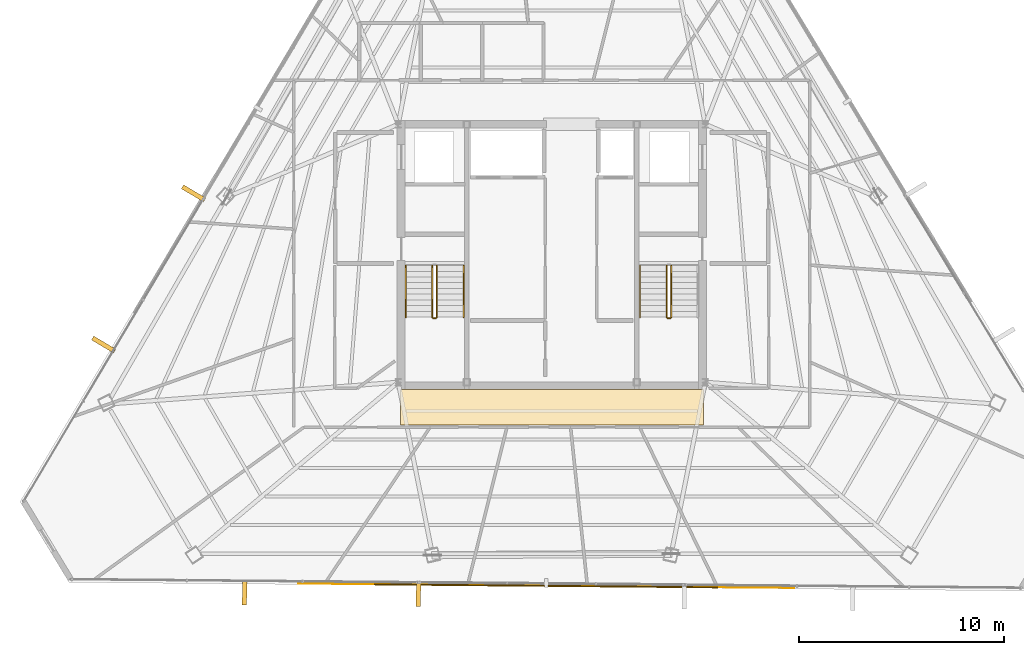
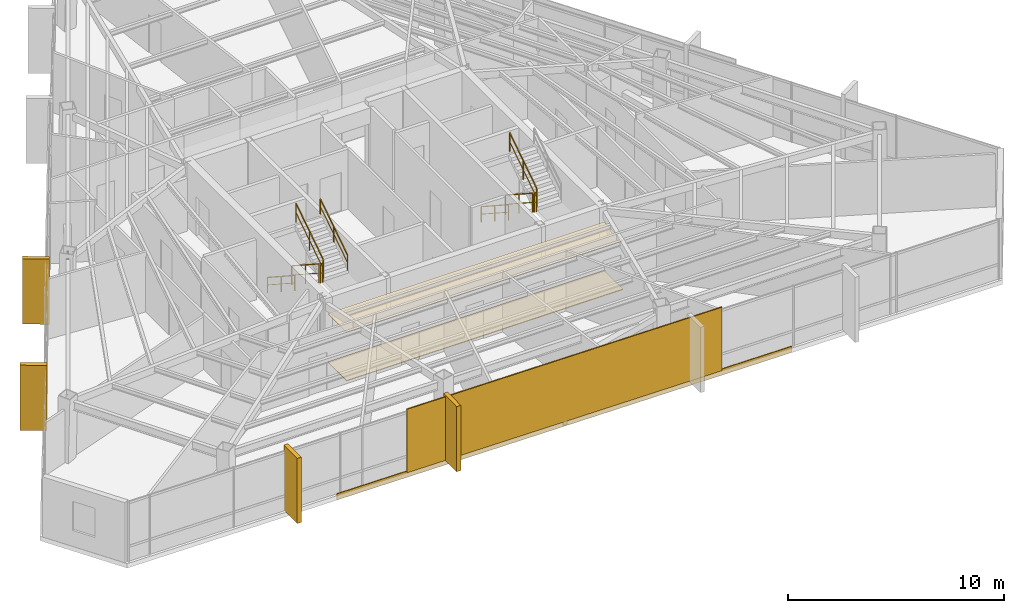
# One storey, part 44 of 46: 9 railings, 7 coverings, 1 shading device.
"""IFC4 building model written with IfcOpenShell, lengths in metres."""

import ifcopenshell
import ifcopenshell.guid

model = None  # the IFC model being written
_history = None  # IfcOwnerHistory: only IFC2X3 demands one
_inside = {}  # id of a spatial element -> (the spatial element, [elements in it])
_under = {}  # id of a project, library or spatial element -> (it, [spatial elements below it])
_declared = {}  # id of a project -> (the project, [libraries it declares])
_typed = {}  # id of a type object -> (the type object, [elements of that type])
_made_of = {}  # id of a material, layer set ... -> (it, [elements and type objects made of it])


def new_model(schema):
    """Start an empty IFC model of exactly this schema.

    Asked for "IFC4X3", IfcOpenShell would pick the latest addendum, in which some entities
    have other attributes; the version numbers below select the first issue.
    IFC2X3 requires an IfcOwnerHistory on every rooted entity: one is made here for all.
    """
    global model, _history
    if schema == "IFC4X3":
        model = ifcopenshell.file(schema_version=(4, 3, 0, 0))
    else:
        model = ifcopenshell.file(schema=schema)
    _inside.clear()
    _under.clear()
    _declared.clear()
    _typed.clear()
    _made_of.clear()
    _history = None
    if model.schema == "IFC2X3":
        org = make("IfcOrganization", Name="unknown")
        user = make(
            "IfcPersonAndOrganization",
            ThePerson=make("IfcPerson", FamilyName="unknown"),
            TheOrganization=org,
        )
        app = make(
            "IfcApplication",
            ApplicationDeveloper=org,
            Version="unknown",
            ApplicationFullName="unknown",
            ApplicationIdentifier="unknown",
        )
        _history = make(
            "IfcOwnerHistory",
            OwningUser=user,
            OwningApplication=app,
            ChangeAction="ADDED",
            CreationDate=0,
        )
    return model


def make(cls, **values):
    """One entity of the class cls with the attributes given. An attribute that is None is left unset."""
    return model.create_entity(
        cls, **{name: value for name, value in values.items() if value is not None}
    )


def rooted(cls, **values):
    """An entity with a GlobalId (a new one), such as an element, a storey or a relation."""
    return make(cls, GlobalId=ifcopenshell.guid.new(), OwnerHistory=_history, **values)


def si_unit(unit_type, name, prefix=None):
    """IfcSIUnit, for example si_unit("LENGTHUNIT", "METRE", prefix="MILLI")."""
    return make("IfcSIUnit", UnitType=unit_type, Prefix=prefix, Name=name)


def assignment(units):
    """IfcUnitAssignment: the units of a project."""
    return None if units is None else make("IfcUnitAssignment", Units=units)


def point(xyz):
    """IfcCartesianPoint."""
    return None if xyz is None else make("IfcCartesianPoint", Coordinates=xyz)


def direction(xyz):
    """IfcDirection."""
    return None if xyz is None else make("IfcDirection", DirectionRatios=xyz)


def frame(location, z_axis=None, x_axis=None):
    """IfcAxis2Placement3D, a coordinate frame: its origin and axes. An axis left out is left unset."""
    return make(
        "IfcAxis2Placement3D",
        Location=point(location),
        Axis=direction(z_axis),
        RefDirection=direction(x_axis),
    )


def frame_2d(location, x_axis=None):
    """IfcAxis2Placement2D, a coordinate frame in the plane: its origin and x axis."""
    return make(
        "IfcAxis2Placement2D", Location=point(location), RefDirection=direction(x_axis)
    )


def origin():
    """The frame at (0, 0, 0) with its axes left unset."""
    return frame((0.0, 0.0, 0.0))


def origin_2d():
    """The frame at (0, 0) in the plane with its x axis left unset."""
    return frame_2d((0.0, 0.0))


def place(relative_to, where):
    """IfcLocalPlacement: puts the frame where relative to a parent placement (None: the world)."""
    return make(
        "IfcLocalPlacement", PlacementRelTo=relative_to, RelativePlacement=where
    )


def context(
    kind, dimensions, precision=None, world=None, true_north=None, identifier=None
):
    """IfcGeometricRepresentationContext, for example the 3D "Model" context."""
    return make(
        "IfcGeometricRepresentationContext",
        ContextIdentifier=identifier,
        ContextType=kind,
        CoordinateSpaceDimension=dimensions,
        Precision=precision,
        WorldCoordinateSystem=world,
        TrueNorth=true_north,
    )


def subcontext(parent, identifier, kind, view, scale=None):
    """IfcGeometricRepresentationSubContext, for example "Body" below "Model"."""
    return make(
        "IfcGeometricRepresentationSubContext",
        ContextIdentifier=identifier,
        ContextType=kind,
        ParentContext=parent,
        TargetScale=scale,
        TargetView=view,
    )


def project(units=None, contexts=None):
    """IfcProject with its units and contexts."""
    return rooted(
        "IfcProject",
        Name="project",
        RepresentationContexts=contexts,
        UnitsInContext=assignment(units),
    )


def spatial(cls, under=None, at=None, **own):
    """A site, building, storey or space (cls), placed at a placement, below another one or the project."""
    s = rooted(cls, ObjectPlacement=at, **own)
    if under is not None:
        _under.setdefault(under.id(), (under, []))[1].append(s)
    return s


def polyline(points):
    """IfcPolyline through the points."""
    return make("IfcPolyline", Points=[point(p) for p in points])


def profile(cls, at=None, kind="AREA", **sizes):
    """A parametric profile (cls). Its sizes go by their IFC names, for example OverallWidth=200.0."""
    return make(cls, ProfileType=kind, Position=at, **sizes)


def rectangle(**sizes):
    """IfcRectangleProfileDef."""
    return profile("IfcRectangleProfileDef", **sizes)


def outline(outer, holes=None, kind="AREA"):
    """IfcArbitraryClosedProfileDef: a profile drawn as a closed curve; with holes, ...WithVoids."""
    if holes is None:
        return make("IfcArbitraryClosedProfileDef", ProfileType=kind, OuterCurve=outer)
    return make(
        "IfcArbitraryProfileDefWithVoids",
        ProfileType=kind,
        OuterCurve=outer,
        InnerCurves=holes,
    )


def extrude(swept, where, along, depth):
    """IfcExtrudedAreaSolid: the profile swept, set in the frame where, extruded along a direction by depth."""
    return make(
        "IfcExtrudedAreaSolid",
        SweptArea=swept,
        Position=where,
        ExtrudedDirection=direction(along),
        Depth=depth,
    )


def shape(context_of_items, identifier, shape_type, items):
    """IfcShapeRepresentation: the items that make up one representation, for example the "Body"."""
    return make(
        "IfcShapeRepresentation",
        ContextOfItems=context_of_items,
        RepresentationIdentifier=identifier,
        RepresentationType=shape_type,
        Items=items,
    )


def source(mapping_origin, context_of_items, identifier, shape_type, items):
    """IfcRepresentationMap: a shape defined once, which mapped items show again and again."""
    return make(
        "IfcRepresentationMap",
        MappingOrigin=mapping_origin,
        MappedRepresentation=shape(context_of_items, identifier, shape_type, items),
    )


def transform(
    local_origin,
    x_axis=None,
    y_axis=None,
    z_axis=None,
    scale=None,
    scale2=None,
    scale3=None,
    uniform=True,
):
    """IfcCartesianTransformationOperator3D, or its non-uniform kind. x_axis, y_axis, z_axis: its Axis1, 2, 3."""
    if uniform:
        return make(
            "IfcCartesianTransformationOperator3D",
            Axis1=direction(x_axis),
            Axis2=direction(y_axis),
            LocalOrigin=point(local_origin),
            Scale=scale,
            Axis3=direction(z_axis),
        )
    return make(
        "IfcCartesianTransformationOperator3DnonUniform",
        Axis1=direction(x_axis),
        Axis2=direction(y_axis),
        LocalOrigin=point(local_origin),
        Scale=scale,
        Axis3=direction(z_axis),
        Scale2=scale2,
        Scale3=scale3,
    )


def mapped(mapping_source, mapping_target):
    """IfcMappedItem: shows the shape of a source again, moved by a transform."""
    return make(
        "IfcMappedItem", MappingSource=mapping_source, MappingTarget=mapping_target
    )


def material(Name=None, Category=None):
    """IfcMaterial."""
    return make("IfcMaterial", Name=Name, Category=Category)


def layer(
    of_material, thickness, ventilated=None, Name=None, Category=None, Priority=None
):
    """IfcMaterialLayer: one layer of a wall or slab, of a material (None: an air gap)."""
    return make(
        "IfcMaterialLayer",
        Material=of_material,
        LayerThickness=thickness,
        IsVentilated=ventilated,
        Name=Name,
        Category=Category,
        Priority=Priority,
    )


def layer_set(layers, Name=None):
    """IfcMaterialLayerSet."""
    return make("IfcMaterialLayerSet", MaterialLayers=layers, LayerSetName=Name)


def made_of(thing, what):
    """Note that an element or type object is made of a material, layer set ...; save() writes the relation."""
    if what is not None:
        _made_of.setdefault(what.id(), (what, []))[1].append(thing)
    return thing


def type_object(cls, material=None, **own):
    """A type object (cls), such as IfcWallType, which elements share."""
    return made_of(rooted(cls, **own), material)


def type_shapes(of_type, sources):
    """Give a type object the sources (RepresentationMaps) that its elements show as mapped items."""
    of_type.RepresentationMaps = sources


def element(
    cls,
    number,
    at=None,
    inside=None,
    cuts=None,
    type_object=None,
    material=None,
    context=None,
    identifier="Body",
    shape_type=None,
    held_by="IfcProductDefinitionShape",
    body=None,
    shapes=None,
    **own,
):
    """One element of the class cls, such as IfcWall. Its Tag is "e" and its number.

    at: its placement. inside: the storey or other place that contains it. cuts: it is an
    opening in that element (IfcRelVoidsElement). A single representation is given by context,
    identifier, shape_type and body (its items); several are given by shapes. held_by: the class
    of the entity that holds the representations. save() writes the other relations.
    """
    e = rooted(cls, Tag="e%d" % number, ObjectPlacement=at, **own)
    if body is not None:
        shapes = [shape(context, identifier, shape_type, body)]
    if shapes is not None:
        e.Representation = make(held_by, Representations=shapes)
    if inside is not None:
        _inside.setdefault(inside.id(), (inside, []))[1].append(e)
    if cuts is not None:
        rooted(
            "IfcRelVoidsElement", RelatingBuildingElement=cuts, RelatedOpeningElement=e
        )
    if type_object is not None:
        _typed.setdefault(type_object.id(), (type_object, []))[1].append(e)
    return made_of(e, material)


def aggregate(whole, parts):
    """IfcRelAggregates: a whole, such as a stair, and the parts it consists of."""
    return rooted("IfcRelAggregates", RelatingObject=whole, RelatedObjects=parts)


def save(model, path):
    """Write the relations noted so far, then the file.

    IfcRelAggregates (storeys below a building ...), IfcRelContainedInSpatialStructure (elements
    in a storey), IfcRelDefinesByType, IfcRelAssociatesMaterial and IfcRelDeclares: one each for
    every whole, place, type object, material and project.
    """
    for whole, parts in _under.values():
        aggregate(whole, parts)
    for where, things in _inside.values():
        rooted(
            "IfcRelContainedInSpatialStructure",
            RelatedElements=things,
            RelatingStructure=where,
        )
    for kind, things in _typed.values():
        rooted("IfcRelDefinesByType", RelatedObjects=things, RelatingType=kind)
    for what, things in _made_of.values():
        rooted("IfcRelAssociatesMaterial", RelatedObjects=things, RelatingMaterial=what)
    for by, libraries in _declared.values():
        rooted("IfcRelDeclares", RelatingContext=by, RelatedDefinitions=libraries)
    model.write(path)


model = new_model("IFC4")

# Units and contexts
model_context = context("Model", 3, precision=1e-05, world=origin(), true_north=direction((0.0, 1.0)))
body_context = subcontext(model_context, "Body", "Model", "MODEL_VIEW")
ifc_project = project(units=[si_unit("LENGTHUNIT", "METRE"), si_unit("AREAUNIT", "SQUARE_METRE"), si_unit("VOLUMEUNIT", "CUBIC_METRE"), si_unit("PLANEANGLEUNIT", "RADIAN"), si_unit("MASSUNIT", "GRAM", prefix="KILO")], contexts=[model_context])

# Site, building, storey
site_placement = place(None, origin())
site = spatial("IfcSite", under=ifc_project, at=site_placement, CompositionType="ELEMENT")
building_placement = place(site_placement, origin())
building = spatial("IfcBuilding", under=site, at=building_placement, Name="Caelisora Broadcast Tower", CompositionType="ELEMENT")
storey_placement = place(building_placement, frame((0.0, 0.0, 237.14990234375)))
storey = spatial("IfcBuildingStorey", under=building, at=storey_placement, Name="L62", CompositionType="ELEMENT", Elevation=237.14990234375)

# Coverings
ifc_material_1 = material(Name="Perforated Mineral-Fibre Acoustic Ceiling Tile", Category="gypsum")
ifc_layer_1 = layer(ifc_material_1, 0.034912109375, Name="Perforated Mineral-Fibre Acoustic Ceiling Tile")
ifc_layer_set_1 = layer_set([ifc_layer_1], Name="Perforated Mineral-Fibre Acoustic Ceiling Tile")
covering_type_1 = type_object("IfcCoveringType", Name="CE-1", PredefinedType="CEILING", material=ifc_layer_set_1)
covering_1_placement = place(storey_placement, frame((0.0, 0.0, 2.75)))
element("IfcCovering", 1, at=covering_1_placement, inside=storey, type_object=covering_type_1, Name="L62 acoustic corridor ceiling CE-1 (S)", PredefinedType="CEILING", context=body_context, shape_type="SweptSolid", body=[
    extrude(outline(polyline([(30.60009765625, 15.300048828125), (45.39990234375, 15.300048828125), (45.39990234375, 17.050048828125), (30.60009765625, 17.050048828125), (30.60009765625, 15.300048828125)])), origin(), (0.0, 0.0, 1.0), 0.03515625),
])
ifc_material_2 = material(Name="Anti-Static Broadcast Raised Access Floor Panel", Category="steel")
ifc_layer_2 = layer(ifc_material_2, 0.044921875, Name="Anti-Static Broadcast Raised Access Floor Panel")
ifc_layer_set_2 = layer_set([ifc_layer_2], Name="Anti-Static Broadcast Raised Access Floor Panel")
covering_type_2 = type_object("IfcCoveringType", Name="FL-1", PredefinedType="FLOORING", material=ifc_layer_set_2)
covering_2_placement = place(storey_placement, origin())
element("IfcCovering", 2, at=covering_2_placement, inside=storey, type_object=covering_type_2, Name="L62 broadcast raised access floor FL-1 (S)", PredefinedType="FLOORING", context=body_context, shape_type="SweptSolid", body=[
    extrude(outline(polyline([(30.60009765625, 15.300048828125), (45.39990234375, 15.300048828125), (45.39990234375, 17.050048828125), (30.60009765625, 17.050048828125), (30.60009765625, 15.300048828125)])), origin(), (0.0, 0.0, 1.0), 0.045166015625),
])

# Railings
ifc_material_3 = material(Name="Galvanised Steel Safety Guardrail", Category="steel")
ifc_layer_3 = layer(ifc_material_3, 0.048095703125, Name="Galvanised Steel Safety Guardrail")
ifc_layer_set_3 = layer_set([ifc_layer_3], Name="Galvanised Steel Safety Guardrail")
railing_type_1 = type_object("IfcRailingType", Name="GR-1", PredefinedType="GUARDRAIL", material=ifc_layer_set_3)
railing_1_placement = place(storey_placement, frame((32.169921875, 23.10009765625, 0.1826171875)))
element("IfcRailing", 3, at=railing_1_placement, inside=storey, type_object=railing_type_1, Name="L62 ST-1 stair guard 1", PredefinedType="GUARDRAIL", context=body_context, shape_type="SweptSolid", body=[
    extrude(rectangle(XDim=0.048095703125, YDim=0.048095703125, at=origin_2d()), frame((0.0, 0.0, 1.076171875), z_axis=(0.0, -0.837749427056, 0.546054848405), x_axis=(1.0, 0.0, 0.0)), (0.0, 0.0, 1.0), 3.008056640625),
    extrude(rectangle(XDim=0.03125, YDim=0.03125, at=origin_2d()), frame((0.0, 0.0, 0.550048828125), z_axis=(0.0, -0.837749427056, 0.546054848405), x_axis=(1.0, 0.0, 0.0)), (0.0, 0.0, 1.0), 3.008056640625),
    extrude(rectangle(XDim=0.0419921875, YDim=0.0419921875, at=origin_2d()), origin(), (0.0, 0.0, 1.0), 1.052001953125),
    extrude(rectangle(XDim=0.0419921875, YDim=0.0419921875, at=origin_2d()), frame((0.0, -1.260009765625, 0.8212890625)), (0.0, 0.0, 1.0), 1.052001953125),
    extrude(rectangle(XDim=0.0419921875, YDim=0.0419921875, at=origin_2d()), frame((0.0, -2.52001953125, 1.642578125)), (0.0, 0.0, 1.0), 1.052001953125),
])
railing_2_placement = place(storey_placement, frame((32.219970703125, 20.530029296875, 1.8251953125)))
element("IfcRailing", 4, at=railing_2_placement, inside=storey, type_object=railing_type_1, Name="L62 ST-1 stair guard 2", PredefinedType="GUARDRAIL", context=body_context, shape_type="SweptSolid", body=[
    extrude(rectangle(XDim=0.048095703125, YDim=0.048095703125, at=origin_2d()), frame((0.0, 0.0, 1.076171875), z_axis=(1.0, 0.0, 0.0), x_axis=(0.0, 1.0, 0.0)), (0.0, 0.0, 1.0), 0.1201171875),
    extrude(rectangle(XDim=0.03125, YDim=0.03125, at=origin_2d()), frame((0.0, 0.0, 0.550048828125), z_axis=(1.0, 0.0, 0.0), x_axis=(0.0, 1.0, 0.0)), (0.0, 0.0, 1.0), 0.1201171875),
    extrude(rectangle(XDim=0.0419921875, YDim=0.0419921875, at=origin_2d()), origin(), (0.0, 0.0, 1.0), 1.052001953125),
    extrude(rectangle(XDim=0.0419921875, YDim=0.0419921875, at=origin_2d()), frame((0.1201171875, 0.0, 0.0)), (0.0, 0.0, 1.0), 1.052001953125),
])
railing_3_placement = place(storey_placement, frame((32.389892578125, 20.580078125, 2.007568359375)))
element("IfcRailing", 5, at=railing_3_placement, inside=storey, type_object=railing_type_1, Name="L62 ST-1 stair guard 3", PredefinedType="GUARDRAIL", context=body_context, shape_type="SweptSolid", body=[
    extrude(rectangle(XDim=0.048095703125, YDim=0.048095703125, at=origin_2d()), frame((0.0, 0.0, 1.076171875), z_axis=(0.0, 0.837749427056, 0.546054848405), x_axis=(-1.0, 0.0, 0.0)), (0.0, 0.0, 1.0), 3.008056640625),
    extrude(rectangle(XDim=0.03125, YDim=0.03125, at=origin_2d()), frame((0.0, 0.0, 0.550048828125), z_axis=(0.0, 0.837749427056, 0.546054848405), x_axis=(-1.0, 0.0, 0.0)), (0.0, 0.0, 1.0), 3.008056640625),
    extrude(rectangle(XDim=0.0419921875, YDim=0.0419921875, at=origin_2d()), origin(), (0.0, 0.0, 1.0), 1.052001953125),
    extrude(rectangle(XDim=0.0419921875, YDim=0.0419921875, at=origin_2d()), frame((0.0, 1.260009765625, 0.8212890625)), (0.0, 0.0, 1.0), 1.052001953125),
    extrude(rectangle(XDim=0.0419921875, YDim=0.0419921875, at=origin_2d()), frame((0.0, 2.52001953125, 1.642578125)), (0.0, 0.0, 1.0), 1.052001953125),
])
railing_4_placement = place(storey_placement, frame((43.610107421875, 23.10009765625, 0.1826171875)))
element("IfcRailing", 6, at=railing_4_placement, inside=storey, type_object=railing_type_1, Name="L62 ST-2 stair guard 1", PredefinedType="GUARDRAIL", context=body_context, shape_type="SweptSolid", body=[
    extrude(rectangle(XDim=0.048095703125, YDim=0.048095703125, at=origin_2d()), frame((0.0, 0.0, 1.076171875), z_axis=(0.0, -0.837749427056, 0.546054848405), x_axis=(1.0, 0.0, 0.0)), (0.0, 0.0, 1.0), 3.008056640625),
    extrude(rectangle(XDim=0.03125, YDim=0.03125, at=origin_2d()), frame((0.0, 0.0, 0.550048828125), z_axis=(0.0, -0.837749427056, 0.546054848405), x_axis=(1.0, 0.0, 0.0)), (0.0, 0.0, 1.0), 3.008056640625),
    extrude(rectangle(XDim=0.0419921875, YDim=0.0419921875, at=origin_2d()), origin(), (0.0, 0.0, 1.0), 1.052001953125),
    extrude(rectangle(XDim=0.0419921875, YDim=0.0419921875, at=origin_2d()), frame((0.0, -1.260009765625, 0.8212890625)), (0.0, 0.0, 1.0), 1.052001953125),
    extrude(rectangle(XDim=0.0419921875, YDim=0.0419921875, at=origin_2d()), frame((0.0, -2.52001953125, 1.642578125)), (0.0, 0.0, 1.0), 1.052001953125),
])
railing_5_placement = place(storey_placement, frame((43.659912109375, 20.530029296875, 1.8251953125)))
element("IfcRailing", 7, at=railing_5_placement, inside=storey, type_object=railing_type_1, Name="L62 ST-2 stair guard 2", PredefinedType="GUARDRAIL", context=body_context, shape_type="SweptSolid", body=[
    extrude(rectangle(XDim=0.048095703125, YDim=0.048095703125, at=origin_2d()), frame((0.0, 0.0, 1.076171875), z_axis=(1.0, 0.0, 0.0), x_axis=(0.0, 1.0, 0.0)), (0.0, 0.0, 1.0), 0.1201171875),
    extrude(rectangle(XDim=0.03125, YDim=0.03125, at=origin_2d()), frame((0.0, 0.0, 0.550048828125), z_axis=(1.0, 0.0, 0.0), x_axis=(0.0, 1.0, 0.0)), (0.0, 0.0, 1.0), 0.1201171875),
    extrude(rectangle(XDim=0.0419921875, YDim=0.0419921875, at=origin_2d()), origin(), (0.0, 0.0, 1.0), 1.052001953125),
    extrude(rectangle(XDim=0.0419921875, YDim=0.0419921875, at=origin_2d()), frame((0.1201171875, 0.0, 0.0)), (0.0, 0.0, 1.0), 1.052001953125),
])
railing_6_placement = place(storey_placement, frame((43.830078125, 20.580078125, 2.007568359375)))
element("IfcRailing", 8, at=railing_6_placement, inside=storey, type_object=railing_type_1, Name="L62 ST-2 stair guard 3", PredefinedType="GUARDRAIL", context=body_context, shape_type="SweptSolid", body=[
    extrude(rectangle(XDim=0.048095703125, YDim=0.048095703125, at=origin_2d()), frame((0.0, 0.0, 1.076171875), z_axis=(0.0, 0.837749427056, 0.546054848405), x_axis=(-1.0, 0.0, 0.0)), (0.0, 0.0, 1.0), 3.008056640625),
    extrude(rectangle(XDim=0.03125, YDim=0.03125, at=origin_2d()), frame((0.0, 0.0, 0.550048828125), z_axis=(0.0, 0.837749427056, 0.546054848405), x_axis=(-1.0, 0.0, 0.0)), (0.0, 0.0, 1.0), 3.008056640625),
    extrude(rectangle(XDim=0.0419921875, YDim=0.0419921875, at=origin_2d()), origin(), (0.0, 0.0, 1.0), 1.052001953125),
    extrude(rectangle(XDim=0.0419921875, YDim=0.0419921875, at=origin_2d()), frame((0.0, 1.260009765625, 0.8212890625)), (0.0, 0.0, 1.0), 1.052001953125),
    extrude(rectangle(XDim=0.0419921875, YDim=0.0419921875, at=origin_2d()), frame((0.0, 2.52001953125, 1.642578125)), (0.0, 0.0, 1.0), 1.052001953125),
])
ifc_material_4 = material(Name="Stainless Steel Grade 316 Tubular Handrail", Category="steel")
ifc_layer_4 = layer(ifc_material_4, 0.048095703125, Name="Stainless Steel Grade 316 Tubular Handrail")
ifc_layer_set_4 = layer_set([ifc_layer_4], Name="Stainless Steel Grade 316 Tubular Handrail")
railing_type_2 = type_object("IfcRailingType", Name="HR-1", PredefinedType="HANDRAIL", material=ifc_layer_set_4)
railing_7_placement = place(storey_placement, frame((30.8701171875, 23.10009765625, 0.1826171875)))
element("IfcRailing", 9, at=railing_7_placement, inside=storey, type_object=railing_type_2, Name="L62 ST-1 stair handrail 1", PredefinedType="HANDRAIL", context=body_context, shape_type="SweptSolid", body=[
    extrude(rectangle(XDim=0.048095703125, YDim=0.048095703125, at=origin_2d()), frame((0.0, 0.0, 0.8759765625), z_axis=(0.0, -0.837749427056, 0.546054848405), x_axis=(1.0, 0.0, 0.0)), (0.0, 0.0, 1.0), 3.008056640625),
    extrude(rectangle(XDim=0.03125, YDim=0.03125, at=origin_2d()), frame((0.0, 0.0, 0.449951171875), z_axis=(0.0, -0.837749427056, 0.546054848405), x_axis=(1.0, 0.0, 0.0)), (0.0, 0.0, 1.0), 3.008056640625),
    extrude(rectangle(XDim=0.0419921875, YDim=0.0419921875, at=origin_2d()), origin(), (0.0, 0.0, 1.0), 0.851806640625),
    extrude(rectangle(XDim=0.0419921875, YDim=0.0419921875, at=origin_2d()), frame((0.0, -1.260009765625, 0.8212890625)), (0.0, 0.0, 1.0), 0.851806640625),
    extrude(rectangle(XDim=0.0419921875, YDim=0.0419921875, at=origin_2d()), frame((0.0, -2.52001953125, 1.642578125)), (0.0, 0.0, 1.0), 0.851806640625),
])
railing_8_placement = place(storey_placement, frame((33.68994140625, 20.580078125, 2.007568359375)))
element("IfcRailing", 10, at=railing_8_placement, inside=storey, type_object=railing_type_2, Name="L62 ST-1 stair handrail 2", PredefinedType="HANDRAIL", context=body_context, shape_type="SweptSolid", body=[
    extrude(rectangle(XDim=0.048095703125, YDim=0.048095703125, at=origin_2d()), frame((0.0, 0.0, 0.8759765625), z_axis=(0.0, 0.837749427056, 0.546054848405), x_axis=(-1.0, 0.0, 0.0)), (0.0, 0.0, 1.0), 3.008056640625),
    extrude(rectangle(XDim=0.03125, YDim=0.03125, at=origin_2d()), frame((0.0, 0.0, 0.449951171875), z_axis=(0.0, 0.837749427056, 0.546054848405), x_axis=(-1.0, 0.0, 0.0)), (0.0, 0.0, 1.0), 3.008056640625),
    extrude(rectangle(XDim=0.0419921875, YDim=0.0419921875, at=origin_2d()), origin(), (0.0, 0.0, 1.0), 0.851806640625),
    extrude(rectangle(XDim=0.0419921875, YDim=0.0419921875, at=origin_2d()), frame((0.0, 1.260009765625, 0.8212890625)), (0.0, 0.0, 1.0), 0.851806640625),
    extrude(rectangle(XDim=0.0419921875, YDim=0.0419921875, at=origin_2d()), frame((0.0, 2.52001953125, 1.642578125)), (0.0, 0.0, 1.0), 0.851806640625),
])
railing_9_placement = place(storey_placement, frame((42.31005859375, 23.10009765625, 0.1826171875)))
element("IfcRailing", 11, at=railing_9_placement, inside=storey, type_object=railing_type_2, Name="L62 ST-2 stair handrail 1", PredefinedType="HANDRAIL", context=body_context, shape_type="SweptSolid", body=[
    extrude(rectangle(XDim=0.048095703125, YDim=0.048095703125, at=origin_2d()), frame((0.0, 0.0, 0.8759765625), z_axis=(0.0, -0.837749427056, 0.546054848405), x_axis=(1.0, 0.0, 0.0)), (0.0, 0.0, 1.0), 3.008056640625),
    extrude(rectangle(XDim=0.03125, YDim=0.03125, at=origin_2d()), frame((0.0, 0.0, 0.449951171875), z_axis=(0.0, -0.837749427056, 0.546054848405), x_axis=(1.0, 0.0, 0.0)), (0.0, 0.0, 1.0), 3.008056640625),
    extrude(rectangle(XDim=0.0419921875, YDim=0.0419921875, at=origin_2d()), origin(), (0.0, 0.0, 1.0), 0.851806640625),
    extrude(rectangle(XDim=0.0419921875, YDim=0.0419921875, at=origin_2d()), frame((0.0, -1.260009765625, 0.8212890625)), (0.0, 0.0, 1.0), 0.851806640625),
    extrude(rectangle(XDim=0.0419921875, YDim=0.0419921875, at=origin_2d()), frame((0.0, -2.52001953125, 1.642578125)), (0.0, 0.0, 1.0), 0.851806640625),
])

# Coverings
ifc_material_5 = material(Name="Kiln-Fired Terracotta Spandrel Rainscreen Cladding", Category="ceramic")
ifc_layer_5 = layer(ifc_material_5, 0.044921875, Name="Kiln-Fired Terracotta Spandrel Rainscreen Cladding")
ifc_layer_set_5 = layer_set([ifc_layer_5], Name="Kiln-Fired Terracotta Spandrel Rainscreen Cladding")
covering_type_3 = type_object("IfcCoveringType", Name="CL-1", PredefinedType="CLADDING", material=ifc_layer_set_5)
shared_shape_1 = source(origin(), body_context, "Body", "SweptSolid", [
    extrude(rectangle(XDim=0.219970703125, YDim=1.25, at=origin_2d()), origin(), (0.0, 0.0, 1.0), 3.68994140625),
])
for number, where, z_axis, x_axis, name in (
    (12, (31.489990234375, 7.060302734375, -0.019775390625), (0.0, 0.0, 1.0), (-0.999960384766, 0.008901061644, 0.0), "L62 vertical solar fin cladding #2-3"),
    (13, (22.994873046875, 7.135986328125, -0.019775390625), (0.0, 0.0, 1.0), (-0.999960384766, 0.008901061644, 0.0), "L62 vertical solar fin cladding #2-4"),
    (14, (16.110595703125, 19.24072265625, -0.019775390625), (0.0, 0.0, 1.0), (0.510993065504, 0.859584834096, 0.0), "L62 vertical solar fin cladding #3-1"),
    (15, (20.500244140625, 26.62646484375, -0.019775390625), (0.0, 0.0, 1.0), (0.510993065504, 0.859584834096, 0.0), "L62 vertical solar fin cladding #3-2"),
):
    element("IfcCovering", number, at=place(storey_placement, frame(where, z_axis=z_axis, x_axis=x_axis)), inside=storey, type_object=covering_type_3, Name=name, PredefinedType="CLADDING", context=body_context, shape_type="MappedRepresentation", body=[
        mapped(shared_shape_1, transform((0.0, 0.0, 0.0), scale=1.0)),
    ])

# Shading device
ifc_material_6 = material(Name="Perforated Glazed Terracotta Baguette Solar Screen", Category="ceramic")
ifc_layer_6 = layer(ifc_material_6, 0.06494140625, Name="Perforated Glazed Terracotta Baguette Solar Screen")
ifc_layer_set_6 = layer_set([ifc_layer_6], Name="Perforated Glazed Terracotta Baguette Solar Screen")
shading_device_type = type_object("IfcShadingDeviceType", Name="SS-1", PredefinedType="USERDEFINED", material=ifc_layer_set_6)
shared_shape_2 = source(origin(), body_context, "Body", "SweptSolid", [
    extrude(rectangle(XDim=16.781982421875, YDim=0.06494140625, at=origin_2d()), origin(), (0.0, 0.0, 1.0), 3.590087890625),
])
type_shapes(shading_device_type, [shared_shape_2])
shading_device_placement = place(storey_placement, frame((37.727294921875, 7.45458984375, 0.0), z_axis=(0.0, 0.0, 1.0), x_axis=(0.999960384766, -0.008901061644, 0.0)))
element("IfcShadingDevice", 16, at=shading_device_placement, inside=storey, type_object=shading_device_type, Name="L62 perforated terracotta solar screen #2", ObjectType="SOLAR SCREEN", PredefinedType="USERDEFINED", context=body_context, shape_type="MappedRepresentation", body=[
    mapped(shared_shape_2, transform((0.0, 0.0, 0.0), scale=1.0)),
])

# Covering
shared_shape_3 = source(origin(), body_context, "Body", "SweptSolid", [
    extrude(rectangle(XDim=24.239990234375, YDim=0.044921875, at=origin_2d()), origin(), (0.0, 0.0, 1.0), 0.340087890625),
])
type_shapes(covering_type_3, [shared_shape_1, shared_shape_3])
covering_3_placement = place(storey_placement, frame((37.7275390625, 7.474609375, -0.27001953125), z_axis=(0.0, 0.0, 1.0), x_axis=(0.999960384766, -0.008901061644, 0.0)))
element("IfcCovering", 17, at=covering_3_placement, inside=storey, type_object=covering_type_3, Name="L62 terracotta spandrel rainscreen #2", PredefinedType="CLADDING", context=body_context, shape_type="MappedRepresentation", body=[
    mapped(shared_shape_3, transform((0.0, 0.0, 0.0), scale=1.0)),
])

save(model, "model.ifc")
